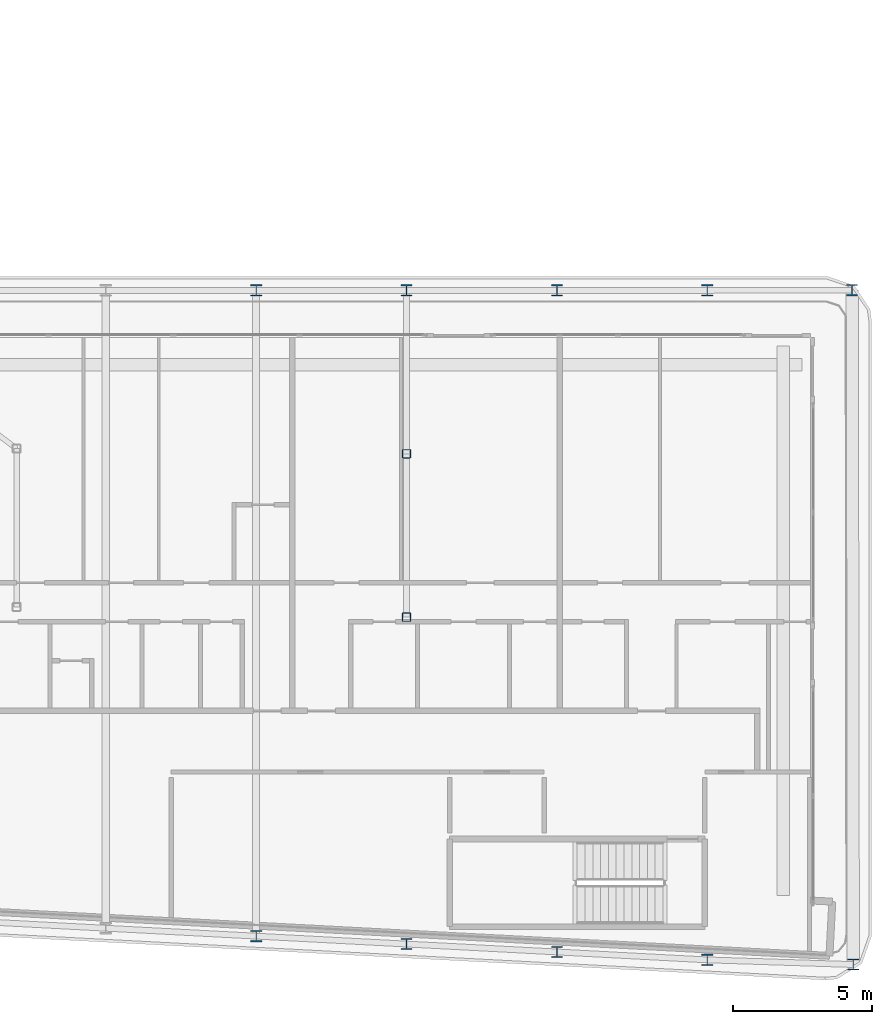
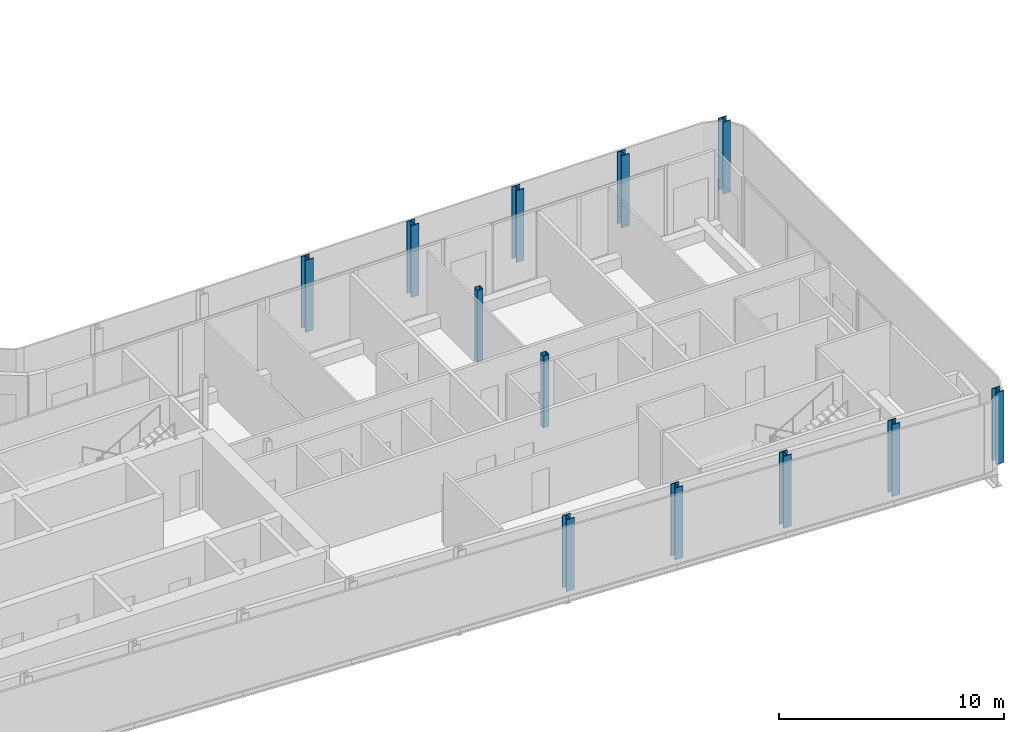
# One storey, part 2 of 21: 12 columns.
"""IFC4 building model written with IfcOpenShell, lengths in metres."""

from ifc_helpers import new_model, si_unit, direction, frame, origin, origin_2d, place, context, subcontext, project, spatial, hollow_rectangle, i_section, extrude, material, material_profile, profile_set, type_object, element, save


model = new_model("IFC4")

# Units and contexts
model_context = context("Model", 3, precision=1e-05, world=origin(), true_north=direction((0.0, 1.0)))
body_context = subcontext(model_context, "Body", "Model", "MODEL_VIEW")
ifc_project = project(units=[si_unit("LENGTHUNIT", "METRE"), si_unit("AREAUNIT", "SQUARE_METRE"), si_unit("VOLUMEUNIT", "CUBIC_METRE"), si_unit("PLANEANGLEUNIT", "RADIAN"), si_unit("MASSUNIT", "GRAM", prefix="KILO")], contexts=[model_context])

# Site, building, storey
site_placement = place(None, origin())
site = spatial("IfcSite", under=ifc_project, at=site_placement, CompositionType="ELEMENT")
building_placement = place(site_placement, origin())
building = spatial("IfcBuilding", under=site, at=building_placement, Name="Kheshtan School and Residences Tower", CompositionType="ELEMENT")
storey_placement = place(building_placement, frame((0.0, 0.0, 220.10009765625)))
storey = spatial("IfcBuildingStorey", under=building, at=storey_placement, Name="L51", CompositionType="ELEMENT", Elevation=220.10009765625)

# Columns
ifc_material_1 = material(Name="Steel ASTM A992 Grade 50", Category="steel")
ifc_material_profile_1 = material_profile(ifc_material_1, i_section(OverallWidth=0.404052734375, OverallDepth=0.406982421875, WebThickness=0.027099609375, FlangeThickness=0.043701171875, FilletRadius=0.01220703125, at=origin_2d()), Name="W360x347")
ifc_profile_set_1 = profile_set([ifc_material_profile_1], Name="Steel ASTM A992 Grade 50")
column_type_1 = type_object("IfcColumnType", Name="Column C4 W360x347 ASTM A992 Grade 50", PredefinedType="COLUMN", material=ifc_profile_set_1)
for number, where, z_axis, x_axis, name in (
    (1, (85.238037109375, 21.39111328125, 0.0), (0.0, 0.0, 1.0), (1.0, 0.0, 0.0), "Column C009"),
    (2, (80.0, 21.55810546875, 0.0), (0.0, 0.0, 1.0), (1.0, 0.0, 0.0), "Column C012"),
    (3, (74.60009765625, 21.843017578125, 0.0), (0.0, 0.0, 1.0), (1.0, 0.0, 0.0), "Column C013"),
    (4, (69.199951171875, 22.126953125, 0.0), (0.0, 0.0, 1.0), (1.0, 0.0, 0.0), "Column C014"),
    (5, (63.800048828125, 22.410888671875, 0.0), (0.0, 0.0, 1.0), (1.0, 0.0, 0.0), "Column C016"),
    (6, (63.800048828125, 45.60009765625, 0.0), (0.0, 0.0, 1.0), (1.0, 0.0, 0.0), "Column C063"),
    (7, (69.199951171875, 45.60009765625, 0.0), (0.0, 0.0, 1.0), (1.0, 0.0, 0.0), "Column C064"),
    (8, (74.60009765625, 45.60009765625, 0.0), (0.0, 0.0, 1.0), (1.0, 0.0, 0.0), "Column C065"),
    (9, (80.0, 45.60009765625, 0.0), (0.0, 0.0, 1.0), (1.0, 0.0, 0.0), "Column C066"),
    (10, (85.199951171875, 45.60693359375, 0.0), (0.0, 0.0, 1.0), (1.0, 0.0, 0.0), "Column C071"),
):
    element("IfcColumn", number, at=place(storey_placement, frame(where, z_axis=z_axis, x_axis=x_axis)), inside=storey, type_object=column_type_1, Name=name, PredefinedType="COLUMN", context=body_context, shape_type="SweptSolid", body=[
        extrude(i_section(OverallWidth=0.404052734375, OverallDepth=0.406982421875, WebThickness=0.027099609375, FlangeThickness=0.043701171875, FilletRadius=0.01220703125, at=origin_2d()), origin(), (0.0, 0.0, 1.0), 3.89990234375),
    ])
ifc_material_2 = material(Name="Steel ASTM A500 Grade C", Category="steel")
ifc_material_profile_2 = material_profile(ifc_material_2, hollow_rectangle(XDim=0.304931640625, YDim=0.304931640625, WallThickness=0.015869140625, InnerFilletRadius=0.015869140625, OuterFilletRadius=0.03173828125, at=origin_2d()), Name="HSS 305x305x15.9")
ifc_profile_set_2 = profile_set([ifc_material_profile_2], Name="Steel ASTM A500 Grade C")
column_type_2 = type_object("IfcColumnType", Name="Column IC2 HSS 305x305x15.9 ASTM A500 Grade C", PredefinedType="COLUMN", material=ifc_profile_set_2)
for number, where, z_axis, x_axis, name in (
    (11, (69.199951171875, 33.863037109375, 0.0), (0.0, 0.0, 1.0), (1.0, 0.0, 0.0), "Column C050"),
    (12, (69.199951171875, 39.73193359375, 0.0), (0.0, 0.0, 1.0), (1.0, 0.0, 0.0), "Column C054"),
):
    element("IfcColumn", number, at=place(storey_placement, frame(where, z_axis=z_axis, x_axis=x_axis)), inside=storey, type_object=column_type_2, Name=name, PredefinedType="COLUMN", context=body_context, shape_type="SweptSolid", body=[
        extrude(hollow_rectangle(XDim=0.304931640625, YDim=0.304931640625, WallThickness=0.015869140625, InnerFilletRadius=0.015869140625, OuterFilletRadius=0.03173828125, at=origin_2d()), origin(), (0.0, 0.0, 1.0), 3.89990234375),
    ])

save(model, "model.ifc")
